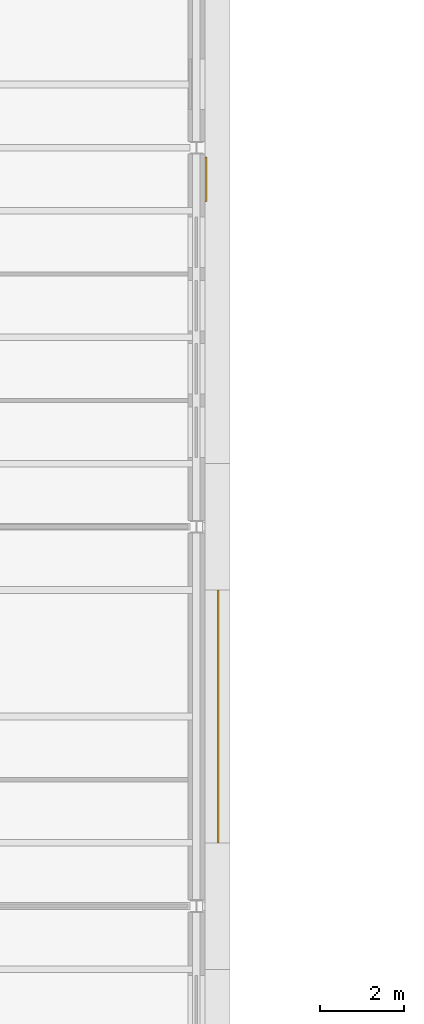
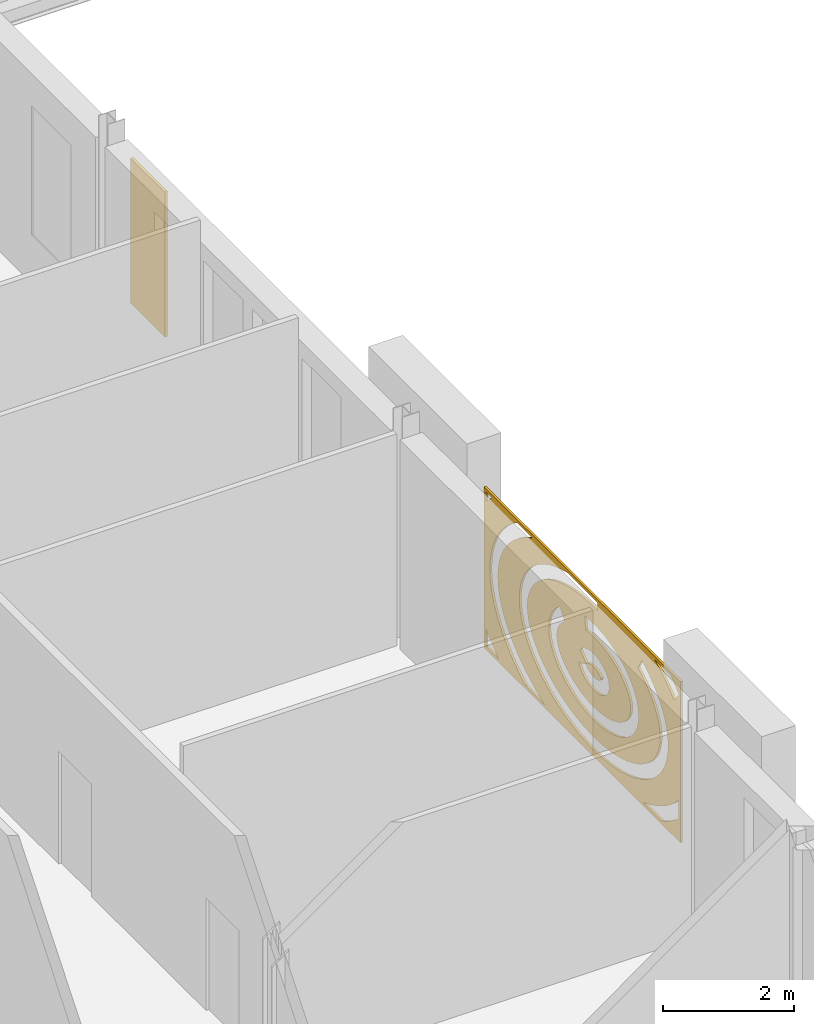
# One storey, part 112 of 131: 2 coverings.
"""IFC4 building model written with IfcOpenShell, lengths in metres."""

from ifc_helpers import new_model, si_unit, direction, frame, origin, place, context, subcontext, project, spatial, polyline, outline, extrude, material, layer, layer_set, type_object, element, save


model = new_model("IFC4")

# Units and contexts
model_context = context("Model", 3, precision=1e-05, world=origin(), true_north=direction((0.0, 1.0)))
body_context = subcontext(model_context, "Body", "Model", "MODEL_VIEW")
ifc_project = project(units=[si_unit("LENGTHUNIT", "METRE"), si_unit("AREAUNIT", "SQUARE_METRE"), si_unit("VOLUMEUNIT", "CUBIC_METRE"), si_unit("PLANEANGLEUNIT", "RADIAN"), si_unit("MASSUNIT", "GRAM", prefix="KILO")], contexts=[model_context])

# Site, building, storey
site_placement = place(None, origin())
site = spatial("IfcSite", under=ifc_project, at=site_placement, CompositionType="ELEMENT")
building_placement = place(site_placement, origin())
building = spatial("IfcBuilding", under=site, at=building_placement, Name="Golden Quay Civic Hall", CompositionType="ELEMENT")
storey_placement = place(building_placement, frame((0.0, 0.0, 9.89990234375)))
storey = spatial("IfcBuildingStorey", under=building, at=storey_placement, Name="L02", CompositionType="ELEMENT", Elevation=9.89990234375)

# Coverings
ifc_material_1 = material(Name="Aluminium, golden anodised, perforated", Category="aluminium")
ifc_layer_1 = layer(ifc_material_1, 0.0400390625)
ifc_layer_set_1 = layer_set([ifc_layer_1], Name="Perforated screen panel 6000 x 3000 x 40")
covering_type_1 = type_object("IfcCoveringType", Name="Perforated screen panel 6000 x 3000 x 40", PredefinedType="CLADDING", material=ifc_layer_set_1)
covering_1_placement = place(storey_placement, frame((18.5, 40.5, 2.10009765625), z_axis=(1.0, 0.0, 0.0), x_axis=(0.0, 1.0, 0.0)))
element("IfcCovering", 1, at=covering_1_placement, inside=storey, type_object=covering_type_1, Name="Perforated screen panel 6000 x 3000 x 40 L02 5", PredefinedType="CLADDING", context=body_context, shape_type="SweptSolid", body=[
    extrude(outline(polyline([(-3.0, -1.5), (3.0, -1.5), (3.0, 1.5), (-3.0, 1.5), (-3.0, -1.5)]), holes=[polyline([(-0.144775390625, 0.115478515625), (-0.1865234375, 0.142333984375), (-0.247802734375, 0.164306640625), (-0.3212890625, 0.175537109375), (-0.372802734375, 0.17578125), (-0.447021484375, 0.16552734375), (-0.509521484375, 0.144287109375), (-0.552978515625, 0.117431640625), (-0.5693359375, 0.100830078125), (-0.576904296875, 0.0888671875), (-0.5791015625, 0.077392578125), (-0.5732421875, 0.064208984375), (-0.560302734375, 0.04931640625), (-0.53759765625, 0.031494140625), (-0.485595703125, 0.006103515625), (-0.417236328125, -0.01123046875), (-0.36669921875, -0.01611328125), (-0.3154296875, -0.01513671875), (-0.265869140625, -0.00830078125), (-0.220703125, 0.00390625), (-0.1826171875, 0.019775390625), (-0.1533203125, 0.03759765625), (-0.128173828125, 0.062255859375), (-0.11865234375, 0.080810546875), (0.100830078125, -0.0185546875), (0.07275390625, -0.07080078125), (0.041015625, -0.110595703125), (-0.0048828125, -0.152099609375), (-0.04443359375, -0.178955078125), (-0.103271484375, -0.208984375), (-0.176513671875, -0.234619140625), (-0.221923828125, -0.2451171875), (-0.300048828125, -0.255615234375), (-0.372314453125, -0.257080078125), (-0.412109375, -0.254638671875), (-0.4970703125, -0.2412109375), (-0.56396484375, -0.221923828125), (-0.599365234375, -0.2080078125), (-0.6650390625, -0.173095703125), (-0.7041015625, -0.14501953125), (-0.73193359375, -0.1201171875), (-0.757080078125, -0.092041015625), (-0.779052734375, -0.061279296875), (-0.796875, -0.027587890625), (-0.81005859375, 0.00830078125), (-0.81982421875, 0.06640625), (-0.816650390625, 0.122802734375), (-0.8076171875, 0.159423828125), (-0.793701171875, 0.194091796875), (-0.775634765625, 0.226318359375), (-0.75390625, 0.255859375), (-0.701904296875, 0.306884765625), (-0.640869140625, 0.347412109375), (-0.572509765625, 0.37890625), (-0.498779296875, 0.40087890625), (-0.46044921875, 0.408447265625), (-0.388916015625, 0.416259765625), (-0.309326171875, 0.416259765625), (-0.2626953125, 0.411865234375), (-0.185302734375, 0.39697265625), (-0.11962890625, 0.375732421875), (-0.076904296875, 0.356689453125), (-0.020751953125, 0.32373046875), (0.01708984375, 0.2939453125), (0.05908203125, 0.24951171875), (-0.124755859375, 0.093994140625), (-0.144775390625, 0.115478515625)]), polyline([(-0.282470703125, 0.7333984375), (-0.37158203125, 0.734375), (-0.460693359375, 0.731201171875), (-0.549072265625, 0.72412109375), (-0.635986328125, 0.712646484375), (-0.721435546875, 0.697021484375), (-0.80419921875, 0.677734375), (-0.884033203125, 0.65478515625), (-0.96044921875, 0.628173828125), (-1.032958984375, 0.59814453125), (-1.10107421875, 0.565185546875), (-1.164306640625, 0.529296875), (-1.222412109375, 0.4912109375), (-1.274658203125, 0.45068359375), (-1.3212890625, 0.408935546875), (-1.36181640625, 0.36572265625), (-1.396240234375, 0.32177734375), (-1.424560546875, 0.277099609375), (-1.44677734375, 0.232421875), (-1.463134765625, 0.18798828125), (-1.4736328125, 0.1435546875), (-1.478759765625, 0.099609375), (-1.478515625, 0.055419921875), (-1.47265625, 0.010986328125), (-1.46142578125, -0.033203125), (-1.4443359375, -0.077880859375), (-1.42138671875, -0.122314453125), (-1.392578125, -0.1669921875), (-1.357421875, -0.210693359375), (-1.316162109375, -0.25390625), (-1.268798828125, -0.295654296875), (-1.2158203125, -0.335693359375), (-1.156982421875, -0.373779296875), (-1.09326171875, -0.4091796875), (-1.024658203125, -0.44189453125), (-0.95166015625, -0.471435546875), (-0.874755859375, -0.49755859375), (-0.79443359375, -0.520263671875), (-0.71142578125, -0.539306640625), (-0.6259765625, -0.55419921875), (-0.538818359375, -0.565185546875), (-0.4501953125, -0.572021484375), (-0.361083984375, -0.574462890625), (-0.27197265625, -0.572998046875), (-0.18310546875, -0.567138671875), (-0.095703125, -0.55712890625), (-0.009521484375, -0.543212890625), (0.07421875, -0.525390625), (0.1552734375, -0.503662109375), (0.23291015625, -0.478271484375), (0.306884765625, -0.449462890625), (0.376708984375, -0.41748046875), (0.441650390625, -0.3828125), (0.501708984375, -0.345458984375), (0.55615234375, -0.305908203125), (0.60498046875, -0.264404296875), (0.647705078125, -0.2216796875), (0.684326171875, -0.177978515625), (0.71484375, -0.133544921875), (0.7392578125, -0.0888671875), (0.7578125, -0.044189453125), (0.7705078125, 0.0), (0.777587890625, 0.04443359375), (0.779296875, 0.08837890625), (0.775390625, 0.132568359375), (0.76611328125, 0.177001953125), (0.75146484375, 0.221435546875), (0.730712890625, 0.26611328125), (0.703857421875, 0.310546875), (0.6708984375, 0.354736328125), (0.632080078125, 0.398193359375), (0.5869140625, 0.4404296875), (0.532470703125, 0.48388671875), (0.6826171875, 0.67236328125), (0.740966796875, 0.625732421875), (0.800537109375, 0.570556640625), (0.85400390625, 0.51171875), (0.900634765625, 0.44970703125), (0.9404296875, 0.384521484375), (0.97265625, 0.31689453125), (0.996826171875, 0.24658203125), (1.0126953125, 0.1748046875), (1.02001953125, 0.1015625), (1.01806640625, 0.028076171875), (1.007080078125, -0.045166015625), (0.987548828125, -0.1171875), (0.95947265625, -0.18701171875), (0.92333984375, -0.25439453125), (0.879638671875, -0.319091796875), (0.8291015625, -0.38037109375), (0.7646484375, -0.44482421875), (0.701416015625, -0.498046875), (0.639892578125, -0.542724609375), (0.558837890625, -0.59326171875), (0.48046875, -0.635009765625), (0.3974609375, -0.672607421875), (0.310791015625, -0.706298828125), (0.226806640625, -0.733642578125), (0.127685546875, -0.76025390625), (0.031982421875, -0.780517578125), (-0.065673828125, -0.79638671875), (-0.164794921875, -0.807373046875), (-0.264892578125, -0.813720703125), (-0.359619140625, -0.8154296875), (-0.460205078125, -0.8125), (-0.56005859375, -0.804931640625), (-0.65869140625, -0.792724609375), (-0.76171875, -0.77490234375), (-0.850830078125, -0.75439453125), (-0.943359375, -0.728515625), (-1.03271484375, -0.6982421875), (-1.118408203125, -0.663818359375), (-1.20703125, -0.62158203125), (-1.277587890625, -0.582275390625), (-1.350341796875, -0.53564453125), (-1.4248046875, -0.479248046875), (-1.4794921875, -0.43115234375), (-1.53515625, -0.37353515625), (-1.584228515625, -0.312744140625), (-1.626708984375, -0.248779296875), (-1.661865234375, -0.181884765625), (-1.68896484375, -0.112548828125), (-1.7080078125, -0.041259765625), (-1.71826171875, 0.031494140625), (-1.718994140625, 0.119873046875), (-1.709716796875, 0.192626953125), (-1.69580078125, 0.2509765625), (-1.670654296875, 0.32177734375), (-1.637451171875, 0.39013671875), (-1.596435546875, 0.455810546875), (-1.54833984375, 0.518310546875), (-1.493408203125, 0.577392578125), (-1.432373046875, 0.633056640625), (-1.3583984375, 0.68994140625), (-1.28662109375, 0.737060546875), (-1.209716796875, 0.7802734375), (-1.12841796875, 0.8193359375), (-1.04296875, 0.8544921875), (-0.9541015625, 0.88525390625), (-0.862060546875, 0.91162109375), (-0.767333984375, 0.93359375), (-0.67041015625, 0.951171875), (-0.57177734375, 0.9638671875), (-0.477783203125, 0.9716796875), (-0.377197265625, 0.97509765625), (-0.276611328125, 0.97412109375), (-0.176513671875, 0.96826171875), (-0.077392578125, 0.957763671875), (-0.10302734375, 0.71826171875), (-0.193603515625, 0.72802734375), (-0.282470703125, 0.7333984375)]), polyline([(-1.88671875, 0.86767578125), (-1.96875, 0.806640625), (-2.043701171875, 0.7431640625), (-2.111572265625, 0.67724609375), (-2.171875, 0.609619140625), (-2.224609375, 0.540283203125), (-2.269287109375, 0.469482421875), (-2.306640625, 0.398193359375), (-2.336181640625, 0.326171875), (-2.35791015625, 0.25390625), (-2.3720703125, 0.18115234375), (-2.37890625, 0.1083984375), (-2.3779296875, 0.03564453125), (-2.36962890625, -0.037109375), (-2.353759765625, -0.109619140625), (-2.330322265625, -0.181884765625), (-2.29931640625, -0.25390625), (-2.26025390625, -0.3251953125), (-2.213623046875, -0.3955078125), (-2.1591796875, -0.46435546875), (-2.097412109375, -0.53173828125), (-2.028076171875, -0.59716796875), (-1.951416015625, -0.66015625), (-1.8681640625, -0.720458984375), (-1.778076171875, -0.777587890625), (-1.681884765625, -0.831298828125), (-1.579833984375, -0.88134765625), (-1.472412109375, -0.927490234375), (-1.3603515625, -0.969482421875), (-1.24365234375, -1.007080078125), (-1.123046875, -1.039794921875), (-0.999267578125, -1.06787109375), (-0.872314453125, -1.091064453125), (-0.743408203125, -1.109130859375), (-0.61279296875, -1.122314453125), (-0.480712890625, -1.1298828125), (-0.348388671875, -1.132568359375), (-0.2158203125, -1.1298828125), (-0.083984375, -1.121826171875), (0.046630859375, -1.10888671875), (0.175537109375, -1.090576171875), (0.30224609375, -1.0673828125), (0.426025390625, -1.0390625), (0.546630859375, -1.006103515625), (0.6630859375, -0.968505859375), (0.775390625, -0.926513671875), (0.882568359375, -0.880126953125), (0.984375, -0.830078125), (1.080322265625, -0.776123046875), (1.17041015625, -0.718994140625), (1.25341796875, -0.65869140625), (1.329833984375, -0.595703125), (1.39892578125, -0.5302734375), (1.460693359375, -0.462646484375), (1.514892578125, -0.393798828125), (1.561279296875, -0.3232421875), (1.60009765625, -0.251953125), (1.631103515625, -0.18017578125), (1.654296875, -0.107666015625), (1.669921875, -0.03515625), (1.677978515625, 0.03759765625), (1.6787109375, 0.1103515625), (1.671875, 0.18310546875), (1.657470703125, 0.255615234375), (1.635498046875, 0.327880859375), (1.605712890625, 0.39990234375), (1.568359375, 0.471435546875), (1.523193359375, 0.5419921875), (1.470458984375, 0.611083984375), (1.409912109375, 0.678955078125), (1.342041015625, 0.744873046875), (1.266845703125, 0.80810546875), (1.184814453125, 0.869140625), (1.095947265625, 0.9267578125), (1.0009765625, 0.981201171875), (0.89990234375, 1.031982421875), (0.793701171875, 1.0791015625), (0.682373046875, 1.12158203125), (0.56640625, 1.16015625), (0.446533203125, 1.19384765625), (0.3232421875, 1.222900390625), (0.197021484375, 1.2470703125), (0.068359375, 1.26611328125), (-0.06201171875, 1.280029296875), (-0.19384765625, 1.288818359375), (-0.326171875, 1.29248046875), (-0.4609375, 1.290771484375), (-0.462890625, 1.43994140625), (0.452392578125, 1.43994140625), (0.639404296875, 1.3896484375), (0.765869140625, 1.34765625), (0.88818359375, 1.300537109375), (1.0, 1.251220703125), (1.112060546875, 1.195068359375), (1.21875, 1.13427734375), (1.319091796875, 1.069091796875), (1.413330078125, 0.99951171875), (1.50048828125, 0.92626953125), (1.580810546875, 0.84912109375), (1.6533203125, 0.768310546875), (1.7177734375, 0.68408203125), (1.774169921875, 0.596923828125), (1.826416015625, 0.496826171875), (1.8603515625, 0.414306640625), (1.8896484375, 0.31982421875), (1.909423828125, 0.223876953125), (1.919189453125, 0.126708984375), (1.918212890625, 0.016845703125), (1.90673828125, -0.080078125), (1.885498046875, -0.17578125), (1.8544921875, -0.27001953125), (1.819091796875, -0.352294921875), (1.765380859375, -0.45166015625), (1.70751953125, -0.538330078125), (1.6416015625, -0.6220703125), (1.567626953125, -0.7021484375), (1.492431640625, -0.7734375), (1.39794921875, -0.8515625), (1.302734375, -0.920166015625), (1.201171875, -0.984619140625), (1.09375, -1.044921875), (0.980712890625, -1.100341796875), (0.862548828125, -1.15087890625), (0.73974609375, -1.197021484375), (0.61279296875, -1.23779296875), (0.482177734375, -1.2734375), (0.348388671875, -1.3037109375), (0.216796875, -1.327880859375), (0.072998046875, -1.348388671875), (-0.067138671875, -1.3623046875), (-0.20849609375, -1.37060546875), (-0.3505859375, -1.373291015625), (-0.49267578125, -1.37060546875), (-0.634033203125, -1.362060546875), (-0.7744140625, -1.34814453125), (-0.908447265625, -1.329345703125), (-1.044921875, -1.304443359375), (-1.178955078125, -1.274169921875), (-1.3095703125, -1.23876953125), (-1.4365234375, -1.197998046875), (-1.5595703125, -1.152099609375), (-1.677734375, -1.1015625), (-1.791015625, -1.046142578125), (-1.898681640625, -0.986083984375), (-2.000244140625, -0.921875), (-2.095703125, -0.853271484375), (-2.184326171875, -0.780517578125), (-2.265869140625, -0.7041015625), (-2.33984375, -0.6240234375), (-2.41162109375, -0.53271484375), (-2.4638671875, -0.453857421875), (-2.51318359375, -0.364501953125), (-2.5537109375, -0.2724609375), (-2.584716796875, -0.17822265625), (-2.6083984375, -0.0703125), (-2.618896484375, 0.02685546875), (-2.619384765625, 0.124267578125), (-2.609619140625, 0.221435546875), (-2.59033203125, 0.3173828125), (-2.561279296875, 0.412109375), (-2.522705078125, 0.504638671875), (-2.475341796875, 0.5947265625), (-2.425048828125, 0.673828125), (-2.35498046875, 0.76611328125), (-2.282470703125, 0.846923828125), (-2.20263671875, 0.92431640625), (-2.115478515625, 0.997802734375), (-2.021484375, 1.0673828125), (-1.921142578125, 1.132568359375), (-1.820556640625, 1.1904296875), (-1.700439453125, 0.981689453125), (-1.798095703125, 0.92529296875), (-1.88671875, 0.86767578125)]), polyline([(-2.93994140625, -0.741455078125), (-2.840576171875, -0.847412109375), (-2.751953125, -0.928955078125), (-2.65576171875, -1.0078125), (-2.55224609375, -1.08349609375), (-2.441650390625, -1.155517578125), (-2.32470703125, -1.224365234375), (-2.201171875, -1.2890625), (-2.072021484375, -1.349609375), (-1.937255859375, -1.40576171875), (-1.84423828125, -1.43994140625), (-2.431884765625, -1.43994140625), (-2.571044921875, -1.35888671875), (-2.686767578125, -1.283203125), (-2.800537109375, -1.2001953125), (-2.93994140625, -1.083251953125), (-2.93994140625, -0.741455078125)]), polyline([(1.144775390625, -1.43994140625), (1.307373046875, -1.377197265625), (1.439208984375, -1.31884765625), (1.565673828125, -1.256103515625), (1.685791015625, -1.189453125), (1.799560546875, -1.118896484375), (1.906494140625, -1.044921875), (2.00634765625, -0.967529296875), (2.0986328125, -0.88720703125), (2.183349609375, -0.804443359375), (2.260009765625, -0.71923828125), (2.328857421875, -0.632080078125), (2.389404296875, -0.543212890625), (2.441650390625, -0.452880859375), (2.4853515625, -0.361572265625), (2.52099609375, -0.26953125), (2.5478515625, -0.1767578125), (2.566650390625, -0.08349609375), (2.5771484375, 0.009765625), (2.5791015625, 0.103271484375), (2.572998046875, 0.19677734375), (2.558349609375, 0.2900390625), (2.535400390625, 0.3828125), (2.50439453125, 0.475341796875), (2.464599609375, 0.567138671875), (2.416748046875, 0.657958984375), (2.3603515625, 0.74755859375), (2.295654296875, 0.835693359375), (2.222900390625, 0.921875), (2.14208984375, 1.005859375), (2.0537109375, 1.08740234375), (1.95751953125, 1.166259765625), (1.854248046875, 1.241943359375), (1.743896484375, 1.314208984375), (1.626953125, 1.383056640625), (1.518310546875, 1.43994140625), (1.991455078125, 1.43994140625), (2.10791015625, 1.3544921875), (2.21435546875, 1.266845703125), (2.3134765625, 1.17529296875), (2.404541015625, 1.080078125), (2.487548828125, 0.9814453125), (2.56201171875, 0.87939453125), (2.62744140625, 0.7744140625), (2.683837890625, 0.6669921875), (2.73095703125, 0.55712890625), (2.768310546875, 0.4453125), (2.795654296875, 0.332275390625), (2.81298828125, 0.218017578125), (2.820068359375, 0.103271484375), (2.817138671875, -0.01171875), (2.803955078125, -0.1259765625), (2.780517578125, -0.239501953125), (2.74755859375, -0.351318359375), (2.70458984375, -0.461669921875), (2.65234375, -0.569580078125), (2.5908203125, -0.675048828125), (2.525634765625, -0.77099609375), (2.441650390625, -0.877685546875), (2.3544921875, -0.973876953125), (2.25927734375, -1.06689453125), (2.156494140625, -1.15576171875), (2.051513671875, -1.2373046875), (1.92919921875, -1.322021484375), (1.810302734375, -1.3955078125), (1.730712890625, -1.43994140625), (1.144775390625, -1.43994140625)]), polyline([(-2.217529296875, 1.43994140625), (-2.383544921875, 1.3505859375), (-2.49755859375, 1.2802734375), (-2.6044921875, 1.206298828125), (-2.70458984375, 1.12890625), (-2.7998046875, 1.04638671875), (-2.93994140625, 1.208251953125), (-2.93994140625, 1.24365234375), (-2.8544921875, 1.3173828125), (-2.749267578125, 1.398681640625), (-2.68994140625, 1.43994140625), (-2.217529296875, 1.43994140625)]), polyline([(2.615966796875, -1.388671875), (2.72998046875, -1.299072265625), (2.8369140625, -1.20654296875), (2.93994140625, -1.106689453125), (2.93994140625, -1.43603515625), (2.935302734375, -1.43994140625), (2.543701171875, -1.43994140625), (2.615966796875, -1.388671875)]), polyline([(2.899169921875, 1.3076171875), (2.797119140625, 1.402099609375), (2.751708984375, 1.43994140625), (2.93994140625, 1.43994140625), (2.93994140625, 1.265625), (2.899169921875, 1.3076171875)])]), origin(), (0.0, 0.0, 1.0), 0.0400390625),
])
ifc_material_2 = material(Name="Terracotta cladding, golden glaze", Category="masonry")
ifc_layer_2 = layer(ifc_material_2, 0.050048828125)
ifc_layer_set_2 = layer_set([ifc_layer_2], Name="Terracotta solid panel 1050 x 2700 x 50")
covering_type_2 = type_object("IfcCoveringType", Name="Terracotta solid panel 1050 x 2700 x 50", PredefinedType="CLADDING", material=ifc_layer_set_2)
covering_2_placement = place(storey_placement, frame((0.0, 0.0, 0.900146484375)))
element("IfcCovering", 2, at=covering_2_placement, inside=storey, type_object=covering_type_2, Name="Terracotta solid panel 1050 x 2700 x 50 L02 12", PredefinedType="CLADDING", context=body_context, shape_type="SweptSolid", body=[
    extrude(outline(polyline([(18.199951171875, 52.72509765625), (18.199951171875, 53.77490234375), (18.25, 53.77490234375), (18.25, 52.72509765625), (18.199951171875, 52.72509765625)])), origin(), (0.0, 0.0, 1.0), 2.699951171875),
])

save(model, "model.ifc")
